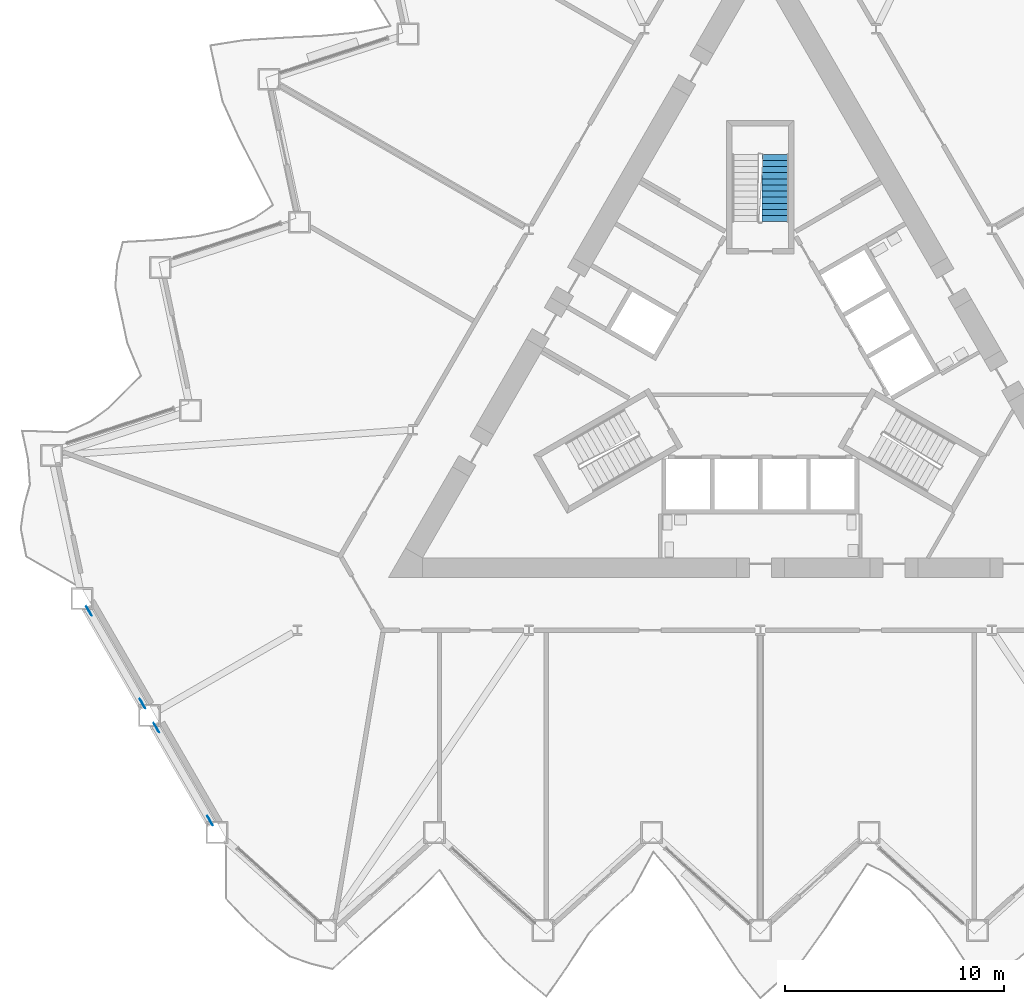
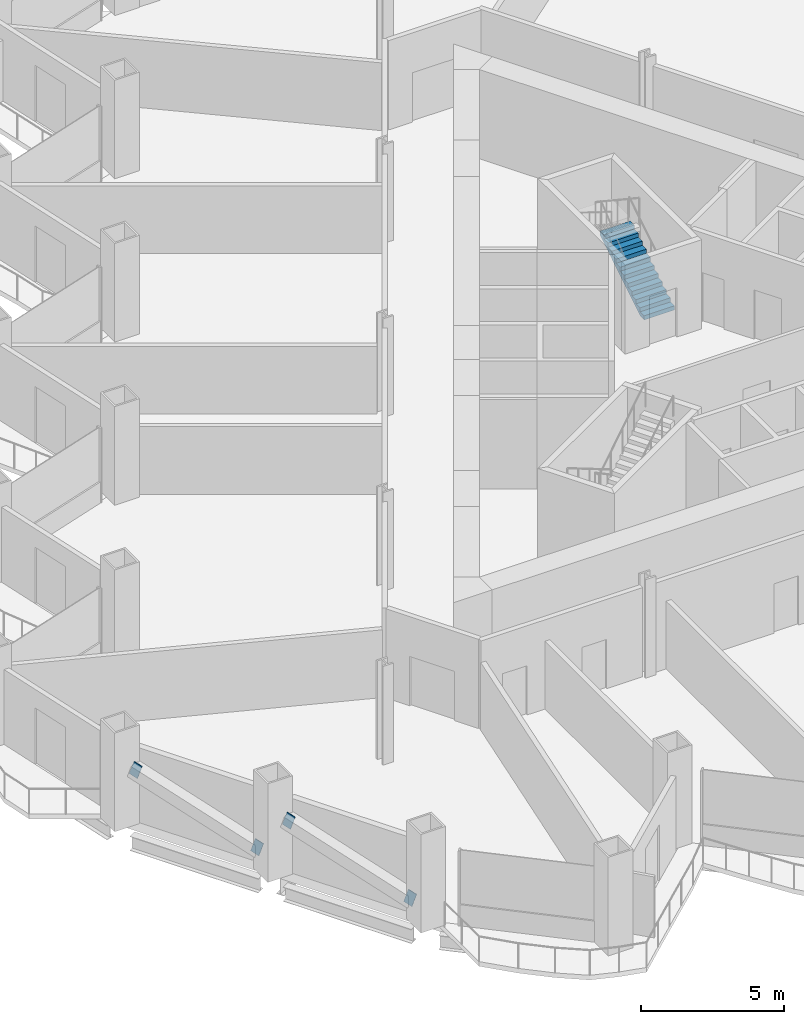
# One storey, part 13 of 20: 4 discrete accessories, 1 stair flight, 1 element without a shape of its own.
"""IFC4 building model written with IfcOpenShell, lengths in metres."""

import ifcopenshell
import ifcopenshell.guid

model = None  # the IFC model being written
_history = None  # IfcOwnerHistory: only IFC2X3 demands one
_inside = {}  # id of a spatial element -> (the spatial element, [elements in it])
_under = {}  # id of a project, library or spatial element -> (it, [spatial elements below it])
_declared = {}  # id of a project -> (the project, [libraries it declares])
_typed = {}  # id of a type object -> (the type object, [elements of that type])
_made_of = {}  # id of a material, layer set ... -> (it, [elements and type objects made of it])


def new_model(schema):
    """Start an empty IFC model of exactly this schema.

    Asked for "IFC4X3", IfcOpenShell would pick the latest addendum, in which some entities
    have other attributes; the version numbers below select the first issue.
    IFC2X3 requires an IfcOwnerHistory on every rooted entity: one is made here for all.
    """
    global model, _history
    if schema == "IFC4X3":
        model = ifcopenshell.file(schema_version=(4, 3, 0, 0))
    else:
        model = ifcopenshell.file(schema=schema)
    _inside.clear()
    _under.clear()
    _declared.clear()
    _typed.clear()
    _made_of.clear()
    _history = None
    if model.schema == "IFC2X3":
        org = make("IfcOrganization", Name="unknown")
        user = make(
            "IfcPersonAndOrganization",
            ThePerson=make("IfcPerson", FamilyName="unknown"),
            TheOrganization=org,
        )
        app = make(
            "IfcApplication",
            ApplicationDeveloper=org,
            Version="unknown",
            ApplicationFullName="unknown",
            ApplicationIdentifier="unknown",
        )
        _history = make(
            "IfcOwnerHistory",
            OwningUser=user,
            OwningApplication=app,
            ChangeAction="ADDED",
            CreationDate=0,
        )
    return model


def make(cls, **values):
    """One entity of the class cls with the attributes given. An attribute that is None is left unset."""
    return model.create_entity(
        cls, **{name: value for name, value in values.items() if value is not None}
    )


def rooted(cls, **values):
    """An entity with a GlobalId (a new one), such as an element, a storey or a relation."""
    return make(cls, GlobalId=ifcopenshell.guid.new(), OwnerHistory=_history, **values)


def si_unit(unit_type, name, prefix=None):
    """IfcSIUnit, for example si_unit("LENGTHUNIT", "METRE", prefix="MILLI")."""
    return make("IfcSIUnit", UnitType=unit_type, Prefix=prefix, Name=name)


def assignment(units):
    """IfcUnitAssignment: the units of a project."""
    return None if units is None else make("IfcUnitAssignment", Units=units)


def point(xyz):
    """IfcCartesianPoint."""
    return None if xyz is None else make("IfcCartesianPoint", Coordinates=xyz)


def direction(xyz):
    """IfcDirection."""
    return None if xyz is None else make("IfcDirection", DirectionRatios=xyz)


def frame(location, z_axis=None, x_axis=None):
    """IfcAxis2Placement3D, a coordinate frame: its origin and axes. An axis left out is left unset."""
    return make(
        "IfcAxis2Placement3D",
        Location=point(location),
        Axis=direction(z_axis),
        RefDirection=direction(x_axis),
    )


def frame_2d(location, x_axis=None):
    """IfcAxis2Placement2D, a coordinate frame in the plane: its origin and x axis."""
    return make(
        "IfcAxis2Placement2D", Location=point(location), RefDirection=direction(x_axis)
    )


def origin():
    """The frame at (0, 0, 0) with its axes left unset."""
    return frame((0.0, 0.0, 0.0))


def origin_2d():
    """The frame at (0, 0) in the plane with its x axis left unset."""
    return frame_2d((0.0, 0.0))


def place(relative_to, where):
    """IfcLocalPlacement: puts the frame where relative to a parent placement (None: the world)."""
    return make(
        "IfcLocalPlacement", PlacementRelTo=relative_to, RelativePlacement=where
    )


def context(
    kind, dimensions, precision=None, world=None, true_north=None, identifier=None
):
    """IfcGeometricRepresentationContext, for example the 3D "Model" context."""
    return make(
        "IfcGeometricRepresentationContext",
        ContextIdentifier=identifier,
        ContextType=kind,
        CoordinateSpaceDimension=dimensions,
        Precision=precision,
        WorldCoordinateSystem=world,
        TrueNorth=true_north,
    )


def subcontext(parent, identifier, kind, view, scale=None):
    """IfcGeometricRepresentationSubContext, for example "Body" below "Model"."""
    return make(
        "IfcGeometricRepresentationSubContext",
        ContextIdentifier=identifier,
        ContextType=kind,
        ParentContext=parent,
        TargetScale=scale,
        TargetView=view,
    )


def project(units=None, contexts=None):
    """IfcProject with its units and contexts."""
    return rooted(
        "IfcProject",
        Name="project",
        RepresentationContexts=contexts,
        UnitsInContext=assignment(units),
    )


def spatial(cls, under=None, at=None, **own):
    """A site, building, storey or space (cls), placed at a placement, below another one or the project."""
    s = rooted(cls, ObjectPlacement=at, **own)
    if under is not None:
        _under.setdefault(under.id(), (under, []))[1].append(s)
    return s


def polyline(points):
    """IfcPolyline through the points."""
    return make("IfcPolyline", Points=[point(p) for p in points])


def profile(cls, at=None, kind="AREA", **sizes):
    """A parametric profile (cls). Its sizes go by their IFC names, for example OverallWidth=200.0."""
    return make(cls, ProfileType=kind, Position=at, **sizes)


def rectangle(**sizes):
    """IfcRectangleProfileDef."""
    return profile("IfcRectangleProfileDef", **sizes)


def outline(outer, holes=None, kind="AREA"):
    """IfcArbitraryClosedProfileDef: a profile drawn as a closed curve; with holes, ...WithVoids."""
    if holes is None:
        return make("IfcArbitraryClosedProfileDef", ProfileType=kind, OuterCurve=outer)
    return make(
        "IfcArbitraryProfileDefWithVoids",
        ProfileType=kind,
        OuterCurve=outer,
        InnerCurves=holes,
    )


def extrude(swept, where, along, depth):
    """IfcExtrudedAreaSolid: the profile swept, set in the frame where, extruded along a direction by depth."""
    return make(
        "IfcExtrudedAreaSolid",
        SweptArea=swept,
        Position=where,
        ExtrudedDirection=direction(along),
        Depth=depth,
    )


def shape(context_of_items, identifier, shape_type, items):
    """IfcShapeRepresentation: the items that make up one representation, for example the "Body"."""
    return make(
        "IfcShapeRepresentation",
        ContextOfItems=context_of_items,
        RepresentationIdentifier=identifier,
        RepresentationType=shape_type,
        Items=items,
    )


def material(Name=None, Category=None):
    """IfcMaterial."""
    return make("IfcMaterial", Name=Name, Category=Category)


def material_profile(
    of_material, cross_section, Name=None, Category=None, Priority=None
):
    """IfcMaterialProfile: a cross section and its material."""
    return make(
        "IfcMaterialProfile",
        Name=Name,
        Material=of_material,
        Profile=cross_section,
        Priority=Priority,
        Category=Category,
    )


def profile_set(profiles, Name=None, composite=None):
    """IfcMaterialProfileSet."""
    return make(
        "IfcMaterialProfileSet",
        Name=Name,
        MaterialProfiles=profiles,
        CompositeProfile=composite,
    )


def made_of(thing, what):
    """Note that an element or type object is made of a material, layer set ...; save() writes the relation."""
    if what is not None:
        _made_of.setdefault(what.id(), (what, []))[1].append(thing)
    return thing


def type_object(cls, material=None, **own):
    """A type object (cls), such as IfcWallType, which elements share."""
    return made_of(rooted(cls, **own), material)


def element(
    cls,
    number,
    at=None,
    inside=None,
    cuts=None,
    type_object=None,
    material=None,
    context=None,
    identifier="Body",
    shape_type=None,
    held_by="IfcProductDefinitionShape",
    body=None,
    shapes=None,
    **own,
):
    """One element of the class cls, such as IfcWall. Its Tag is "e" and its number.

    at: its placement. inside: the storey or other place that contains it. cuts: it is an
    opening in that element (IfcRelVoidsElement). A single representation is given by context,
    identifier, shape_type and body (its items); several are given by shapes. held_by: the class
    of the entity that holds the representations. save() writes the other relations.
    """
    e = rooted(cls, Tag="e%d" % number, ObjectPlacement=at, **own)
    if body is not None:
        shapes = [shape(context, identifier, shape_type, body)]
    if shapes is not None:
        e.Representation = make(held_by, Representations=shapes)
    if inside is not None:
        _inside.setdefault(inside.id(), (inside, []))[1].append(e)
    if cuts is not None:
        rooted(
            "IfcRelVoidsElement", RelatingBuildingElement=cuts, RelatedOpeningElement=e
        )
    if type_object is not None:
        _typed.setdefault(type_object.id(), (type_object, []))[1].append(e)
    return made_of(e, material)


def aggregate(whole, parts):
    """IfcRelAggregates: a whole, such as a stair, and the parts it consists of."""
    return rooted("IfcRelAggregates", RelatingObject=whole, RelatedObjects=parts)


def save(model, path):
    """Write the relations noted so far, then the file.

    IfcRelAggregates (storeys below a building ...), IfcRelContainedInSpatialStructure (elements
    in a storey), IfcRelDefinesByType, IfcRelAssociatesMaterial and IfcRelDeclares: one each for
    every whole, place, type object, material and project.
    """
    for whole, parts in _under.values():
        aggregate(whole, parts)
    for where, things in _inside.values():
        rooted(
            "IfcRelContainedInSpatialStructure",
            RelatedElements=things,
            RelatingStructure=where,
        )
    for kind, things in _typed.values():
        rooted("IfcRelDefinesByType", RelatedObjects=things, RelatingType=kind)
    for what, things in _made_of.values():
        rooted("IfcRelAssociatesMaterial", RelatedObjects=things, RelatingMaterial=what)
    for by, libraries in _declared.values():
        rooted("IfcRelDeclares", RelatingContext=by, RelatedDefinitions=libraries)
    model.write(path)


model = new_model("IFC4")

# Units and contexts
model_context = context("Model", 3, precision=1e-05, world=origin(), true_north=direction((0.0, 1.0)))
body_context = subcontext(model_context, "Body", "Model", "MODEL_VIEW")
ifc_project = project(units=[si_unit("LENGTHUNIT", "METRE"), si_unit("AREAUNIT", "SQUARE_METRE"), si_unit("VOLUMEUNIT", "CUBIC_METRE"), si_unit("PLANEANGLEUNIT", "RADIAN"), si_unit("MASSUNIT", "GRAM", prefix="KILO")], contexts=[model_context])

# Site, building, storey
site_placement = place(None, origin())
site = spatial("IfcSite", under=ifc_project, at=site_placement, CompositionType="ELEMENT")
building_placement = place(site_placement, origin())
building = spatial("IfcBuilding", under=site, at=building_placement, Name="Cormorant Prow Tower", CompositionType="ELEMENT")
storey_placement = place(building_placement, frame((0.0, 0.0, 55.199951171875)))
storey = spatial("IfcBuildingStorey", under=building, at=storey_placement, Name="L11", CompositionType="ELEMENT", Elevation=55.199951171875)

# Stair, stair flight
ifc_material_1 = material(Name="Exit stair 24 risers")
stair_type = type_object("IfcStairType", Name="Exit stair 24 risers", PredefinedType="HALF_TURN_STAIR", material=ifc_material_1)
stair_placement = place(storey_placement, origin())
stair = element("IfcStair", 1, at=stair_placement, inside=storey, type_object=stair_type, Name="L11 Exit stair ST3", PredefinedType="HALF_TURN_STAIR")
ifc_material_2 = material(Name="Concrete 5000 psi", Category="concrete")
stair_flight_type = type_object("IfcStairFlightType", Name="Stair flight 1219", PredefinedType="STRAIGHT", material=ifc_material_2)
stair_flight_placement = place(storey_placement, frame((0.6845703125, 6.455810546875, 0.0), z_axis=(0.0, 0.0, 1.0), x_axis=(0.0, 1.0, 0.0)))
stair_flight = element("IfcStairFlight", 2, at=stair_flight_placement, type_object=stair_flight_type, Name="ST3 flight 1", NumberOfRisers=12, NumberOfTreads=11, PredefinedType="STRAIGHT", RiserHeight=0.175, TreadLength=0.28, context=body_context, shape_type="SweptSolid", body=[
    extrude(outline(polyline([(0.0, 0.0), (0.0, 0.175048828125), (0.280029296875, 0.175048828125), (0.280029296875, 0.35009765625), (0.56005859375, 0.35009765625), (0.56005859375, 0.52490234375), (0.840087890625, 0.52490234375), (0.840087890625, 0.699951171875), (1.1201171875, 0.699951171875), (1.1201171875, 0.875), (1.39990234375, 0.875), (1.39990234375, 1.050048828125), (1.679931640625, 1.050048828125), (1.679931640625, 1.22509765625), (1.9599609375, 1.22509765625), (1.9599609375, 1.39990234375), (2.239990234375, 1.39990234375), (2.239990234375, 1.574951171875), (2.52001953125, 1.574951171875), (2.52001953125, 1.75), (2.800048828125, 1.75), (2.800048828125, 1.925048828125), (3.080078125, 1.925048828125), (3.080078125, 2.10009765625), (3.080078125, 1.748291015625), (0.28271484375, 0.0), (0.0, 0.0)])), frame((0.0, 0.609375, 0.0), z_axis=(0.0, -1.0, 0.0), x_axis=(1.0, 0.0, 0.0)), (0.0, 0.0, 1.0), 1.218994140625),
])
aggregate(stair, [stair_flight])

# Discrete accessories
ifc_material_3 = material(Name="Structural steel ASTM A500 Gr C", Category="steel")
ifc_material_profile = material_profile(ifc_material_3, rectangle(XDim=0.031982421875, YDim=0.60791015625, at=origin_2d()), Name="Gusset plate 32x608")
ifc_profile_set = profile_set([ifc_material_profile], Name="Structural steel ASTM A500 Gr C")
discrete_accessory_type = type_object("IfcDiscreteAccessoryType", Name="Gusset plate 32x608", PredefinedType="BRACKET", material=ifc_profile_set)
discrete_accessory_1_placement = place(storey_placement, frame((-28.3173828125, -15.42041015625, 0.859375), z_axis=(0.476464602218, -0.823872174553, -0.306946449452), x_axis=(0.865660382551, 0.500631703033, 0.0)))
element("IfcDiscreteAccessory", 3, at=discrete_accessory_1_placement, inside=storey, type_object=discrete_accessory_type, Name="Gusset plate GP1 L11.WSW00.g0", PredefinedType="BRACKET", context=body_context, shape_type="SweptSolid", body=[
    extrude(rectangle(XDim=0.031982421875, YDim=0.60791015625, at=origin_2d()), origin(), (0.0, 0.0, 1.0), 0.349853515625),
])
for number, where, z_axis, x_axis, name in (
    (4, (-30.597900390625, -11.47021484375, 2.32958984375), (-0.475651503409, 0.824369614413, 0.306871937683), (-0.866161185697, -0.499764745047, 0.0), "Gusset plate GP1 L11.WSW00.g1"),
    (5, (-25.232421875, -20.763427734375, 0.859375), (0.475651503409, -0.824369614413, -0.306871937683), (0.866161185697, 0.499764745047, 0.0), "Gusset plate GP1 L11.WSW01.g0"),
):
    element("IfcDiscreteAccessory", number, at=place(storey_placement, frame(where, z_axis=z_axis, x_axis=x_axis)), inside=storey, type_object=discrete_accessory_type, Name=name, PredefinedType="BRACKET", context=body_context, shape_type="SweptSolid", body=[
        extrude(rectangle(XDim=0.031982421875, YDim=0.60791015625, at=origin_2d()), origin(), (0.0, 0.0, 1.0), 0.35009765625),
    ])
discrete_accessory_2_placement = place(storey_placement, frame((-27.512939453125, -16.813232421875, 2.32958984375), z_axis=(-0.476464602218, 0.823872174553, 0.306946449452), x_axis=(-0.865660382551, -0.500631703033, 0.0)))
element("IfcDiscreteAccessory", 6, at=discrete_accessory_2_placement, inside=storey, type_object=discrete_accessory_type, Name="Gusset plate GP1 L11.WSW01.g1", PredefinedType="BRACKET", context=body_context, shape_type="SweptSolid", body=[
    extrude(rectangle(XDim=0.031982421875, YDim=0.60791015625, at=origin_2d()), origin(), (0.0, 0.0, 1.0), 0.349853515625),
])

save(model, "model.ifc")
